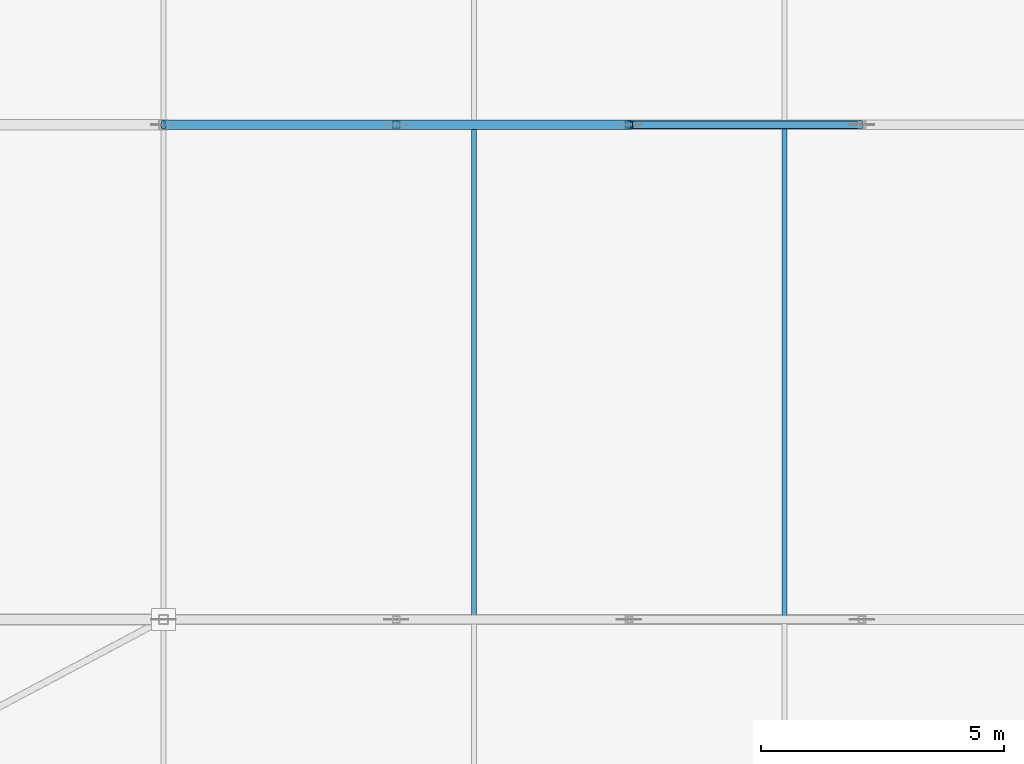
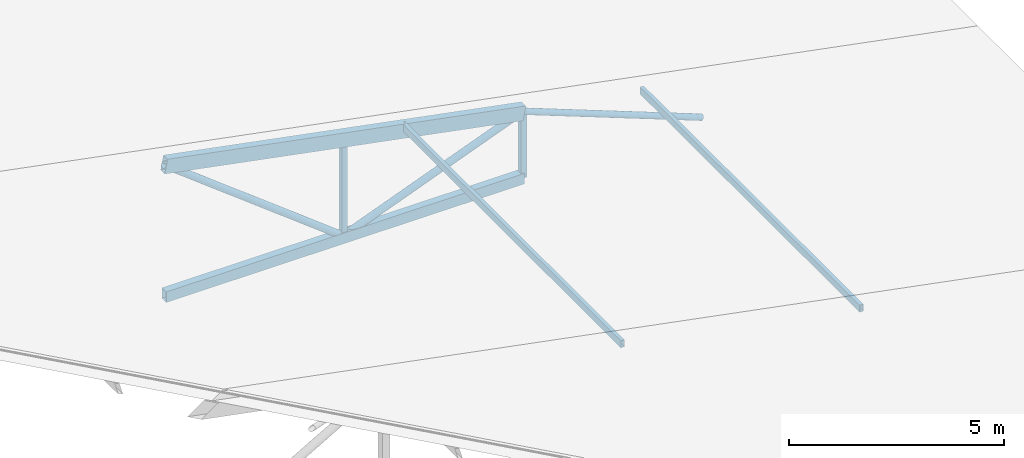
# One storey, part 54 of 200: 9 members.
"""IFC4 building model written with IfcOpenShell, lengths in metres."""

import ifcopenshell
import ifcopenshell.guid

model = None  # the IFC model being written
_history = None  # IfcOwnerHistory: only IFC2X3 demands one
_inside = {}  # id of a spatial element -> (the spatial element, [elements in it])
_under = {}  # id of a project, library or spatial element -> (it, [spatial elements below it])
_declared = {}  # id of a project -> (the project, [libraries it declares])
_typed = {}  # id of a type object -> (the type object, [elements of that type])
_made_of = {}  # id of a material, layer set ... -> (it, [elements and type objects made of it])


def new_model(schema):
    """Start an empty IFC model of exactly this schema.

    Asked for "IFC4X3", IfcOpenShell would pick the latest addendum, in which some entities
    have other attributes; the version numbers below select the first issue.
    IFC2X3 requires an IfcOwnerHistory on every rooted entity: one is made here for all.
    """
    global model, _history
    if schema == "IFC4X3":
        model = ifcopenshell.file(schema_version=(4, 3, 0, 0))
    else:
        model = ifcopenshell.file(schema=schema)
    _inside.clear()
    _under.clear()
    _declared.clear()
    _typed.clear()
    _made_of.clear()
    _history = None
    if model.schema == "IFC2X3":
        org = make("IfcOrganization", Name="unknown")
        user = make(
            "IfcPersonAndOrganization",
            ThePerson=make("IfcPerson", FamilyName="unknown"),
            TheOrganization=org,
        )
        app = make(
            "IfcApplication",
            ApplicationDeveloper=org,
            Version="unknown",
            ApplicationFullName="unknown",
            ApplicationIdentifier="unknown",
        )
        _history = make(
            "IfcOwnerHistory",
            OwningUser=user,
            OwningApplication=app,
            ChangeAction="ADDED",
            CreationDate=0,
        )
    return model


def make(cls, **values):
    """One entity of the class cls with the attributes given. An attribute that is None is left unset."""
    return model.create_entity(
        cls, **{name: value for name, value in values.items() if value is not None}
    )


def rooted(cls, **values):
    """An entity with a GlobalId (a new one), such as an element, a storey or a relation."""
    return make(cls, GlobalId=ifcopenshell.guid.new(), OwnerHistory=_history, **values)


def si_unit(unit_type, name, prefix=None):
    """IfcSIUnit, for example si_unit("LENGTHUNIT", "METRE", prefix="MILLI")."""
    return make("IfcSIUnit", UnitType=unit_type, Prefix=prefix, Name=name)


def assignment(units):
    """IfcUnitAssignment: the units of a project."""
    return None if units is None else make("IfcUnitAssignment", Units=units)


def point(xyz):
    """IfcCartesianPoint."""
    return None if xyz is None else make("IfcCartesianPoint", Coordinates=xyz)


def direction(xyz):
    """IfcDirection."""
    return None if xyz is None else make("IfcDirection", DirectionRatios=xyz)


def frame(location, z_axis=None, x_axis=None):
    """IfcAxis2Placement3D, a coordinate frame: its origin and axes. An axis left out is left unset."""
    return make(
        "IfcAxis2Placement3D",
        Location=point(location),
        Axis=direction(z_axis),
        RefDirection=direction(x_axis),
    )


def frame_2d(location, x_axis=None):
    """IfcAxis2Placement2D, a coordinate frame in the plane: its origin and x axis."""
    return make(
        "IfcAxis2Placement2D", Location=point(location), RefDirection=direction(x_axis)
    )


def origin():
    """The frame at (0, 0, 0) with its axes left unset."""
    return frame((0.0, 0.0, 0.0))


def origin_2d():
    """The frame at (0, 0) in the plane with its x axis left unset."""
    return frame_2d((0.0, 0.0))


def place(relative_to, where):
    """IfcLocalPlacement: puts the frame where relative to a parent placement (None: the world)."""
    return make(
        "IfcLocalPlacement", PlacementRelTo=relative_to, RelativePlacement=where
    )


def context(
    kind, dimensions, precision=None, world=None, true_north=None, identifier=None
):
    """IfcGeometricRepresentationContext, for example the 3D "Model" context."""
    return make(
        "IfcGeometricRepresentationContext",
        ContextIdentifier=identifier,
        ContextType=kind,
        CoordinateSpaceDimension=dimensions,
        Precision=precision,
        WorldCoordinateSystem=world,
        TrueNorth=true_north,
    )


def subcontext(parent, identifier, kind, view, scale=None):
    """IfcGeometricRepresentationSubContext, for example "Body" below "Model"."""
    return make(
        "IfcGeometricRepresentationSubContext",
        ContextIdentifier=identifier,
        ContextType=kind,
        ParentContext=parent,
        TargetScale=scale,
        TargetView=view,
    )


def project(units=None, contexts=None):
    """IfcProject with its units and contexts."""
    return rooted(
        "IfcProject",
        Name="project",
        RepresentationContexts=contexts,
        UnitsInContext=assignment(units),
    )


def spatial(cls, under=None, at=None, **own):
    """A site, building, storey or space (cls), placed at a placement, below another one or the project."""
    s = rooted(cls, ObjectPlacement=at, **own)
    if under is not None:
        _under.setdefault(under.id(), (under, []))[1].append(s)
    return s


def profile(cls, at=None, kind="AREA", **sizes):
    """A parametric profile (cls). Its sizes go by their IFC names, for example OverallWidth=200.0."""
    return make(cls, ProfileType=kind, Position=at, **sizes)


def hollow_rectangle(**sizes):
    """IfcRectangleHollowProfileDef."""
    return profile("IfcRectangleHollowProfileDef", **sizes)


def hollow_circle(**sizes):
    """IfcCircleHollowProfileDef."""
    return profile("IfcCircleHollowProfileDef", **sizes)


def extrude(swept, where, along, depth):
    """IfcExtrudedAreaSolid: the profile swept, set in the frame where, extruded along a direction by depth."""
    return make(
        "IfcExtrudedAreaSolid",
        SweptArea=swept,
        Position=where,
        ExtrudedDirection=direction(along),
        Depth=depth,
    )


def shape(context_of_items, identifier, shape_type, items):
    """IfcShapeRepresentation: the items that make up one representation, for example the "Body"."""
    return make(
        "IfcShapeRepresentation",
        ContextOfItems=context_of_items,
        RepresentationIdentifier=identifier,
        RepresentationType=shape_type,
        Items=items,
    )


def material(Name=None, Category=None):
    """IfcMaterial."""
    return make("IfcMaterial", Name=Name, Category=Category)


def material_profile(
    of_material, cross_section, Name=None, Category=None, Priority=None
):
    """IfcMaterialProfile: a cross section and its material."""
    return make(
        "IfcMaterialProfile",
        Name=Name,
        Material=of_material,
        Profile=cross_section,
        Priority=Priority,
        Category=Category,
    )


def profile_set(profiles, Name=None, composite=None):
    """IfcMaterialProfileSet."""
    return make(
        "IfcMaterialProfileSet",
        Name=Name,
        MaterialProfiles=profiles,
        CompositeProfile=composite,
    )


def made_of(thing, what):
    """Note that an element or type object is made of a material, layer set ...; save() writes the relation."""
    if what is not None:
        _made_of.setdefault(what.id(), (what, []))[1].append(thing)
    return thing


def type_object(cls, material=None, **own):
    """A type object (cls), such as IfcWallType, which elements share."""
    return made_of(rooted(cls, **own), material)


def element(
    cls,
    number,
    at=None,
    inside=None,
    cuts=None,
    type_object=None,
    material=None,
    context=None,
    identifier="Body",
    shape_type=None,
    held_by="IfcProductDefinitionShape",
    body=None,
    shapes=None,
    **own,
):
    """One element of the class cls, such as IfcWall. Its Tag is "e" and its number.

    at: its placement. inside: the storey or other place that contains it. cuts: it is an
    opening in that element (IfcRelVoidsElement). A single representation is given by context,
    identifier, shape_type and body (its items); several are given by shapes. held_by: the class
    of the entity that holds the representations. save() writes the other relations.
    """
    e = rooted(cls, Tag="e%d" % number, ObjectPlacement=at, **own)
    if body is not None:
        shapes = [shape(context, identifier, shape_type, body)]
    if shapes is not None:
        e.Representation = make(held_by, Representations=shapes)
    if inside is not None:
        _inside.setdefault(inside.id(), (inside, []))[1].append(e)
    if cuts is not None:
        rooted(
            "IfcRelVoidsElement", RelatingBuildingElement=cuts, RelatedOpeningElement=e
        )
    if type_object is not None:
        _typed.setdefault(type_object.id(), (type_object, []))[1].append(e)
    return made_of(e, material)


def aggregate(whole, parts):
    """IfcRelAggregates: a whole, such as a stair, and the parts it consists of."""
    return rooted("IfcRelAggregates", RelatingObject=whole, RelatedObjects=parts)


def save(model, path):
    """Write the relations noted so far, then the file.

    IfcRelAggregates (storeys below a building ...), IfcRelContainedInSpatialStructure (elements
    in a storey), IfcRelDefinesByType, IfcRelAssociatesMaterial and IfcRelDeclares: one each for
    every whole, place, type object, material and project.
    """
    for whole, parts in _under.values():
        aggregate(whole, parts)
    for where, things in _inside.values():
        rooted(
            "IfcRelContainedInSpatialStructure",
            RelatedElements=things,
            RelatingStructure=where,
        )
    for kind, things in _typed.values():
        rooted("IfcRelDefinesByType", RelatedObjects=things, RelatingType=kind)
    for what, things in _made_of.values():
        rooted("IfcRelAssociatesMaterial", RelatedObjects=things, RelatingMaterial=what)
    for by, libraries in _declared.values():
        rooted("IfcRelDeclares", RelatingContext=by, RelatedDefinitions=libraries)
    model.write(path)


model = new_model("IFC4")

# Units and contexts
model_context = context("Model", 3, precision=1e-05, world=origin(), true_north=direction((0.0, 1.0)))
body_context = subcontext(model_context, "Body", "Model", "MODEL_VIEW")
ifc_project = project(units=[si_unit("LENGTHUNIT", "METRE"), si_unit("AREAUNIT", "SQUARE_METRE"), si_unit("VOLUMEUNIT", "CUBIC_METRE"), si_unit("PLANEANGLEUNIT", "RADIAN"), si_unit("MASSUNIT", "GRAM", prefix="KILO")], contexts=[model_context])

# Site, building, storey
site_placement = place(None, origin())
site = spatial("IfcSite", under=ifc_project, at=site_placement, CompositionType="ELEMENT")
building_placement = place(site_placement, origin())
building = spatial("IfcBuilding", under=site, at=building_placement, Name="Vondelvale Polytechnic", CompositionType="ELEMENT")
storey_placement = place(building_placement, frame((0.0, 0.0, 13.800048828125)))
storey = spatial("IfcBuildingStorey", under=building, at=storey_placement, Name="L03", CompositionType="ELEMENT", Elevation=13.800048828125)

# Members
ifc_material = material(Name="Steel C350L0 (fy = 350 MPa)", Category="steel")
ifc_material_profile_1 = material_profile(ifc_material, hollow_rectangle(XDim=0.10009765625, YDim=0.199951171875, WallThickness=0.006103515625, at=origin_2d()), Name="200x100x6.0RHS")
ifc_profile_set_1 = profile_set([ifc_material_profile_1], Name="Steel C350L0 (fy = 350 MPa)")
member_type_1 = type_object("IfcMemberType", Name="PURLIN RHS200", PredefinedType="PURLIN", material=ifc_profile_set_1)
for number, where, z_axis, x_axis, name in (
    (1, (35.199951171875, 61.199951171875, 2.14794921875), (0.0, 1.0, 0.0), (-1.0, 0.0, 0.0), "Workshop roof purlin bay 2"),
    (2, (41.60009765625, 61.199951171875, 0.91455078125), (0.0, 1.0, 0.0), (-1.0, 0.0, 0.0), "Workshop roof purlin bay 2"),
):
    element("IfcMember", number, at=place(storey_placement, frame(where, z_axis=z_axis, x_axis=x_axis)), inside=storey, type_object=member_type_1, Name=name, PredefinedType="PURLIN", context=body_context, shape_type="SweptSolid", body=[
        extrude(hollow_rectangle(XDim=0.10009765625, YDim=0.199951171875, WallThickness=0.006103515625, at=origin_2d()), origin(), (0.0, 0.0, 1.0), 10.199951171875),
    ])
ifc_material_profile_2 = material_profile(ifc_material, hollow_rectangle(XDim=0.199951171875, YDim=0.300048828125, WallThickness=0.008056640625, at=origin_2d()), Name="300x200x8.0RHS")
ifc_profile_set_2 = profile_set([ifc_material_profile_2], Name="Steel C350L0 (fy = 350 MPa)")
member_type_2 = type_object("IfcMemberType", Name="ROOF TRUSS BOT CHORD 300RHS", PredefinedType="CHORD", material=ifc_profile_set_2)
member_1_placement = place(storey_placement, frame((28.800048828125, 71.39990234375, -0.420166015625), z_axis=(1.0, 0.0, 0.0), x_axis=(0.0, 1.0, 0.0)))
element("IfcMember", 3, at=member_1_placement, inside=storey, type_object=member_type_2, Name="ROOF TRUSS TR-03 bottom chord 2", PredefinedType="CHORD", context=body_context, shape_type="SweptSolid", body=[
    extrude(hollow_rectangle(XDim=0.199951171875, YDim=0.300048828125, WallThickness=0.008056640625, at=origin_2d()), origin(), (0.0, 0.0, 1.0), 9.599853515625),
])
ifc_material_profile_3 = material_profile(ifc_material, hollow_circle(Radius=0.084228515625, WallThickness=0.00634765625, at=origin_2d()), Name="168.3x6.4CHS")
ifc_profile_set_3 = profile_set([ifc_material_profile_3], Name="Steel C350L0 (fy = 350 MPa)")
member_type_3 = type_object("IfcMemberType", Name="ROOF TRUSS BRACE 168CHS", PredefinedType="BRACE", material=ifc_profile_set_3)
member_2_placement = place(storey_placement, frame((38.39990234375, 71.39990234375, 1.429931640625), z_axis=(0.933089727442, 0.0, -0.359643657726), x_axis=(0.0, 1.0, 0.0)))
element("IfcMember", 4, at=member_2_placement, inside=storey, type_object=member_type_3, Name="ROOF TRUSS TR-03 web diagonal 8", PredefinedType="BRACE", context=body_context, shape_type="SweptSolid", body=[
    extrude(hollow_circle(Radius=0.084228515625, WallThickness=0.00634765625, at=origin_2d()), origin(), (0.0, 0.0, 1.0), 5.144287109375),
])
ifc_material_profile_4 = material_profile(ifc_material, hollow_circle(Radius=0.096923828125, WallThickness=0.00634765625, at=origin_2d()), Name="193.7x6.4CHS")
ifc_profile_set_4 = profile_set([ifc_material_profile_4], Name="Steel C350L0 (fy = 350 MPa)")
member_type_4 = type_object("IfcMemberType", Name="ROOF TRUSS BRACE 193CHS", PredefinedType="BRACE", material=ifc_profile_set_4)
member_3_placement = place(storey_placement, frame((28.800048828125, 71.39990234375, 3.280029296875), z_axis=(0.791997617605, 0.0, -0.610524179463), x_axis=(0.0, 1.0, 0.0)))
element("IfcMember", 5, at=member_3_placement, inside=storey, type_object=member_type_4, Name="ROOF TRUSS TR-03 web diagonal 6", PredefinedType="BRACE", context=body_context, shape_type="SweptSolid", body=[
    extrude(hollow_circle(Radius=0.096923828125, WallThickness=0.00634765625, at=origin_2d()), origin(), (0.0, 0.0, 1.0), 6.060791015625),
])
member_4_placement = place(storey_placement, frame((33.60009765625, 71.39990234375, -0.420166015625), z_axis=(0.933083588529, 0.0, 0.359659584632), x_axis=(0.0, 1.0, 0.0)))
element("IfcMember", 6, at=member_4_placement, inside=storey, type_object=member_type_4, Name="ROOF TRUSS TR-03 web diagonal 7", PredefinedType="BRACE", context=body_context, shape_type="SweptSolid", body=[
    extrude(hollow_circle(Radius=0.096923828125, WallThickness=0.00634765625, at=origin_2d()), origin(), (0.0, 0.0, 1.0), 5.14404296875),
])
ifc_material_profile_5 = material_profile(ifc_material, hollow_rectangle(XDim=0.14990234375, YDim=0.14990234375, WallThickness=0.006103515625, at=origin_2d()), Name="150x150x6.0SHS")
ifc_profile_set_5 = profile_set([ifc_material_profile_5], Name="Steel C350L0 (fy = 350 MPa)")
member_type_5 = type_object("IfcMemberType", Name="ROOF TRUSS POST 150SHS", PredefinedType="POST", material=ifc_profile_set_5)
member_5_placement = place(storey_placement, frame((33.60009765625, 71.39990234375, -0.420166015625), z_axis=(0.0, 0.0, 1.0), x_axis=(1.0, 0.0, 0.0)))
element("IfcMember", 7, at=member_5_placement, inside=storey, type_object=member_type_5, Name="ROOF TRUSS TR-03 vertical post 6", PredefinedType="POST", context=body_context, shape_type="SweptSolid", body=[
    extrude(hollow_rectangle(XDim=0.14990234375, YDim=0.14990234375, WallThickness=0.006103515625, at=origin_2d()), origin(), (0.0, 0.0, 1.0), 2.775146484375),
])
member_6_placement = place(storey_placement, frame((38.39990234375, 71.39990234375, -0.420166015625), z_axis=(0.0, 0.0, 1.0), x_axis=(1.0, 0.0, 0.0)))
element("IfcMember", 8, at=member_6_placement, inside=storey, type_object=member_type_5, Name="ROOF TRUSS TR-03 vertical post 7", PredefinedType="POST", context=body_context, shape_type="SweptSolid", body=[
    extrude(hollow_rectangle(XDim=0.14990234375, YDim=0.14990234375, WallThickness=0.006103515625, at=origin_2d()), origin(), (0.0, 0.0, 1.0), 1.85009765625),
])
ifc_material_profile_6 = material_profile(ifc_material, hollow_rectangle(XDim=0.199951171875, YDim=0.39990234375, WallThickness=0.010009765625, at=origin_2d()), Name="400x200x10.0RHS")
ifc_profile_set_6 = profile_set([ifc_material_profile_6], Name="Steel C350L0 (fy = 350 MPa)")
member_type_6 = type_object("IfcMemberType", Name="ROOF TRUSS TOP CHORD 400RHS", PredefinedType="CHORD", material=ifc_profile_set_6)
member_7_placement = place(storey_placement, frame((28.800048828125, 71.39990234375, 3.280029296875), z_axis=(0.981931024806, 0.0, -0.189239167518), x_axis=(0.0, 1.0, 0.0)))
element("IfcMember", 9, at=member_7_placement, inside=storey, type_object=member_type_6, Name="ROOF TRUSS TR-03 top chord 4", PredefinedType="CHORD", context=body_context, shape_type="SweptSolid", body=[
    extrude(hollow_rectangle(XDim=0.199951171875, YDim=0.39990234375, WallThickness=0.010009765625, at=origin_2d()), origin(), (0.0, 0.0, 1.0), 9.776611328125),
])

save(model, "model.ifc")
